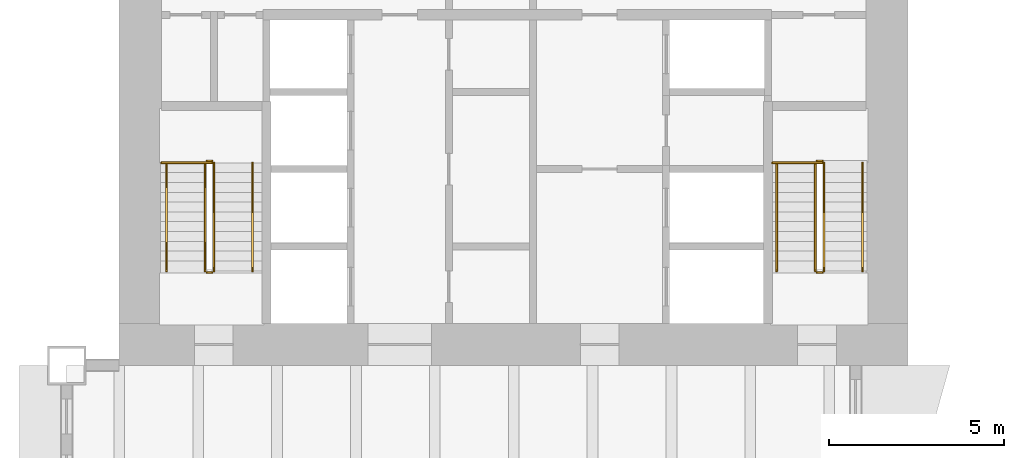
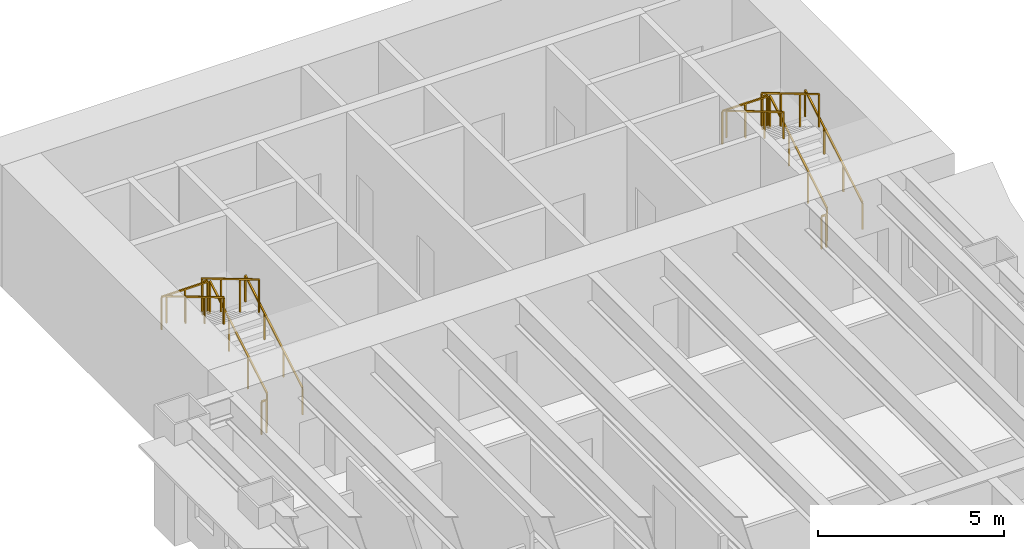
# One storey, part 16 of 16: 14 railings.
"""IFC4 building model written with IfcOpenShell, lengths in metres."""

from ifc_helpers import new_model, si_unit, direction, frame, origin, origin_2d, place, context, subcontext, project, spatial, rectangle, extrude, material, type_object, element, save


model = new_model("IFC4")

# Units and contexts
model_context = context("Model", 3, precision=1e-05, world=origin(), true_north=direction((0.0, 1.0)))
body_context = subcontext(model_context, "Body", "Model", "MODEL_VIEW")
ifc_project = project(units=[si_unit("LENGTHUNIT", "METRE"), si_unit("AREAUNIT", "SQUARE_METRE"), si_unit("VOLUMEUNIT", "CUBIC_METRE"), si_unit("PLANEANGLEUNIT", "RADIAN"), si_unit("MASSUNIT", "GRAM", prefix="KILO")], contexts=[model_context])

# Site, building, storey
site_placement = place(None, origin())
site = spatial("IfcSite", under=ifc_project, at=site_placement, CompositionType="ELEMENT")
building_placement = place(site_placement, origin())
building = spatial("IfcBuilding", under=site, at=building_placement, Name="Sennacour Bend Tower", CompositionType="ELEMENT")
storey_placement = place(building_placement, frame((0.0, 0.0, 45.0)))
storey = spatial("IfcBuildingStorey", under=building, at=storey_placement, Name="L09", CompositionType="ELEMENT", Elevation=45.0)

# Railings
ifc_material = material(Name="Stainless steel", Category="steel")
railing_type_1 = type_object("IfcRailingType", Name="RL-GUARD-1100", PredefinedType="GUARDRAIL", material=ifc_material)
railing_1_placement = place(storey_placement, frame((2.699951171875, 38.699951171875, 0.166748046875)))
element("IfcRailing", 1, at=railing_1_placement, inside=storey, type_object=railing_type_1, Name="L09 SB1 stair guard 1", PredefinedType="GUARDRAIL", context=body_context, shape_type="SweptSolid", body=[
    extrude(rectangle(XDim=0.048095703125, YDim=0.048095703125, at=origin_2d()), frame((0.0, 0.0, 1.076171875), z_axis=(0.0, 0.859308565015, 0.511457515432), x_axis=(-1.0, 0.0, 0.0)), (0.0, 0.0, 1.0), 3.58447265625),
    extrude(rectangle(XDim=0.0419921875, YDim=0.0419921875, at=origin_2d()), origin(), (0.0, 0.0, 1.0), 1.052001953125),
    extrude(rectangle(XDim=0.0419921875, YDim=0.0419921875, at=origin_2d()), frame((0.0, 1.026611328125, 0.611083984375)), (0.0, 0.0, 1.0), 1.052001953125),
    extrude(rectangle(XDim=0.0419921875, YDim=0.0419921875, at=origin_2d()), frame((0.0, 2.053466796875, 1.22216796875)), (0.0, 0.0, 1.0), 1.052001953125),
    extrude(rectangle(XDim=0.0419921875, YDim=0.0419921875, at=origin_2d()), frame((0.0, 3.080078125, 1.833251953125)), (0.0, 0.0, 1.0), 1.052001953125),
])
railing_2_placement = place(storey_placement, frame((2.64990234375, 41.830078125, 2.0)))
element("IfcRailing", 2, at=railing_2_placement, inside=storey, type_object=railing_type_1, Name="L09 SB1 stair guard 2", PredefinedType="GUARDRAIL", context=body_context, shape_type="SweptSolid", body=[
    extrude(rectangle(XDim=0.048095703125, YDim=0.048095703125, at=origin_2d()), frame((0.0, 0.0, 1.076171875), z_axis=(-1.0, 0.0, 0.0), x_axis=(0.0, -1.0, 0.0)), (0.0, 0.0, 1.0), 0.14990234375),
    extrude(rectangle(XDim=0.0419921875, YDim=0.0419921875, at=origin_2d()), origin(), (0.0, 0.0, 1.0), 1.052001953125),
    extrude(rectangle(XDim=0.0419921875, YDim=0.0419921875, at=origin_2d()), frame((-0.14990234375, 0.0, 0.0)), (0.0, 0.0, 1.0), 1.052001953125),
])
railing_3_placement = place(storey_placement, frame((2.449951171875, 41.780029296875, 2.166748046875)))
element("IfcRailing", 3, at=railing_3_placement, inside=storey, type_object=railing_type_1, Name="L09 SB1 stair guard 4", PredefinedType="GUARDRAIL", context=body_context, shape_type="SweptSolid", body=[
    extrude(rectangle(XDim=0.048095703125, YDim=0.048095703125, at=origin_2d()), frame((0.0, 0.0, 1.076171875), z_axis=(0.0, -0.859308565015, 0.511457515432), x_axis=(1.0, 0.0, 0.0)), (0.0, 0.0, 1.0), 3.58447265625),
    extrude(rectangle(XDim=0.0419921875, YDim=0.0419921875, at=origin_2d()), origin(), (0.0, 0.0, 1.0), 1.052001953125),
    extrude(rectangle(XDim=0.0419921875, YDim=0.0419921875, at=origin_2d()), frame((0.0, -1.026611328125, 0.611083984375)), (0.0, 0.0, 1.0), 1.052001953125),
    extrude(rectangle(XDim=0.0419921875, YDim=0.0419921875, at=origin_2d()), frame((0.0, -2.053466796875, 1.22216796875)), (0.0, 0.0, 1.0), 1.052001953125),
    extrude(rectangle(XDim=0.0419921875, YDim=0.0419921875, at=origin_2d()), frame((0.0, -3.080078125, 1.833251953125)), (0.0, 0.0, 1.0), 1.052001953125),
])
railing_4_placement = place(storey_placement, frame((2.64990234375, 38.64990234375, 0.0)))
element("IfcRailing", 4, at=railing_4_placement, inside=storey, type_object=railing_type_1, Name="L09 SB1 stair guard 5", PredefinedType="GUARDRAIL", context=body_context, shape_type="SweptSolid", body=[
    extrude(rectangle(XDim=0.048095703125, YDim=0.048095703125, at=origin_2d()), frame((0.0, 0.0, 1.076171875), z_axis=(-1.0, 0.0, 0.0), x_axis=(0.0, -1.0, 0.0)), (0.0, 0.0, 1.0), 0.14990234375),
    extrude(rectangle(XDim=0.0419921875, YDim=0.0419921875, at=origin_2d()), origin(), (0.0, 0.0, 1.0), 1.052001953125),
    extrude(rectangle(XDim=0.0419921875, YDim=0.0419921875, at=origin_2d()), frame((-0.14990234375, 0.0, 0.0)), (0.0, 0.0, 1.0), 1.052001953125),
])
railing_5_placement = place(storey_placement, frame((2.64990234375, 41.780029296875, 2.0)))
element("IfcRailing", 5, at=railing_5_placement, inside=storey, type_object=railing_type_1, Name="L09 SB1 landing edge guard 28", PredefinedType="GUARDRAIL", context=body_context, shape_type="SweptSolid", body=[
    extrude(rectangle(XDim=0.048095703125, YDim=0.048095703125, at=origin_2d()), frame((0.0, 0.0, 1.076171875), z_axis=(-1.0, 0.0, 0.0), x_axis=(0.0, -1.0, 0.0)), (0.0, 0.0, 1.0), 1.449951171875),
    extrude(rectangle(XDim=0.0419921875, YDim=0.0419921875, at=origin_2d()), origin(), (0.0, 0.0, 1.0), 1.052001953125),
    extrude(rectangle(XDim=0.0419921875, YDim=0.0419921875, at=origin_2d()), frame((-0.72509765625, 0.0, 0.0)), (0.0, 0.0, 1.0), 1.052001953125),
    extrude(rectangle(XDim=0.0419921875, YDim=0.0419921875, at=origin_2d()), frame((-1.449951171875, 0.0, 0.0)), (0.0, 0.0, 1.0), 1.052001953125),
])
railing_6_placement = place(storey_placement, frame((20.10009765625, 38.699951171875, 0.166748046875)))
element("IfcRailing", 6, at=railing_6_placement, inside=storey, type_object=railing_type_1, Name="L09 SB2 stair guard 1", PredefinedType="GUARDRAIL", context=body_context, shape_type="SweptSolid", body=[
    extrude(rectangle(XDim=0.048095703125, YDim=0.048095703125, at=origin_2d()), frame((0.0, 0.0, 1.076171875), z_axis=(0.0, 0.859308565015, 0.511457515432), x_axis=(-1.0, 0.0, 0.0)), (0.0, 0.0, 1.0), 3.58447265625),
    extrude(rectangle(XDim=0.0419921875, YDim=0.0419921875, at=origin_2d()), origin(), (0.0, 0.0, 1.0), 1.052001953125),
    extrude(rectangle(XDim=0.0419921875, YDim=0.0419921875, at=origin_2d()), frame((0.0, 1.026611328125, 0.611083984375)), (0.0, 0.0, 1.0), 1.052001953125),
    extrude(rectangle(XDim=0.0419921875, YDim=0.0419921875, at=origin_2d()), frame((0.0, 2.053466796875, 1.22216796875)), (0.0, 0.0, 1.0), 1.052001953125),
    extrude(rectangle(XDim=0.0419921875, YDim=0.0419921875, at=origin_2d()), frame((0.0, 3.080078125, 1.833251953125)), (0.0, 0.0, 1.0), 1.052001953125),
])
railing_7_placement = place(storey_placement, frame((20.050048828125, 41.830078125, 2.0)))
element("IfcRailing", 7, at=railing_7_placement, inside=storey, type_object=railing_type_1, Name="L09 SB2 stair guard 2", PredefinedType="GUARDRAIL", context=body_context, shape_type="SweptSolid", body=[
    extrude(rectangle(XDim=0.048095703125, YDim=0.048095703125, at=origin_2d()), frame((0.0, 0.0, 1.076171875), z_axis=(-1.0, 0.0, 0.0), x_axis=(0.0, -1.0, 0.0)), (0.0, 0.0, 1.0), 0.150146484375),
    extrude(rectangle(XDim=0.0419921875, YDim=0.0419921875, at=origin_2d()), origin(), (0.0, 0.0, 1.0), 1.052001953125),
    extrude(rectangle(XDim=0.0419921875, YDim=0.0419921875, at=origin_2d()), frame((-0.150146484375, 0.0, 0.0)), (0.0, 0.0, 1.0), 1.052001953125),
])
railing_8_placement = place(storey_placement, frame((19.85009765625, 41.780029296875, 2.166748046875)))
element("IfcRailing", 8, at=railing_8_placement, inside=storey, type_object=railing_type_1, Name="L09 SB2 stair guard 4", PredefinedType="GUARDRAIL", context=body_context, shape_type="SweptSolid", body=[
    extrude(rectangle(XDim=0.048095703125, YDim=0.048095703125, at=origin_2d()), frame((0.0, 0.0, 1.076171875), z_axis=(0.0, -0.859308565015, 0.511457515432), x_axis=(1.0, 0.0, 0.0)), (0.0, 0.0, 1.0), 3.58447265625),
    extrude(rectangle(XDim=0.0419921875, YDim=0.0419921875, at=origin_2d()), origin(), (0.0, 0.0, 1.0), 1.052001953125),
    extrude(rectangle(XDim=0.0419921875, YDim=0.0419921875, at=origin_2d()), frame((0.0, -1.026611328125, 0.611083984375)), (0.0, 0.0, 1.0), 1.052001953125),
    extrude(rectangle(XDim=0.0419921875, YDim=0.0419921875, at=origin_2d()), frame((0.0, -2.053466796875, 1.22216796875)), (0.0, 0.0, 1.0), 1.052001953125),
    extrude(rectangle(XDim=0.0419921875, YDim=0.0419921875, at=origin_2d()), frame((0.0, -3.080078125, 1.833251953125)), (0.0, 0.0, 1.0), 1.052001953125),
])
railing_9_placement = place(storey_placement, frame((20.050048828125, 38.64990234375, 0.0)))
element("IfcRailing", 9, at=railing_9_placement, inside=storey, type_object=railing_type_1, Name="L09 SB2 stair guard 5", PredefinedType="GUARDRAIL", context=body_context, shape_type="SweptSolid", body=[
    extrude(rectangle(XDim=0.048095703125, YDim=0.048095703125, at=origin_2d()), frame((0.0, 0.0, 1.076171875), z_axis=(-1.0, 0.0, 0.0), x_axis=(0.0, -1.0, 0.0)), (0.0, 0.0, 1.0), 0.150146484375),
    extrude(rectangle(XDim=0.0419921875, YDim=0.0419921875, at=origin_2d()), origin(), (0.0, 0.0, 1.0), 1.052001953125),
    extrude(rectangle(XDim=0.0419921875, YDim=0.0419921875, at=origin_2d()), frame((-0.150146484375, 0.0, 0.0)), (0.0, 0.0, 1.0), 1.052001953125),
])
railing_10_placement = place(storey_placement, frame((20.050048828125, 41.780029296875, 2.0)))
element("IfcRailing", 10, at=railing_10_placement, inside=storey, type_object=railing_type_1, Name="L09 SB2 landing edge guard 20", PredefinedType="GUARDRAIL", context=body_context, shape_type="SweptSolid", body=[
    extrude(rectangle(XDim=0.048095703125, YDim=0.048095703125, at=origin_2d()), frame((0.0, 0.0, 1.076171875), z_axis=(-1.0, 0.0, 0.0), x_axis=(0.0, -1.0, 0.0)), (0.0, 0.0, 1.0), 1.425048828125),
    extrude(rectangle(XDim=0.0419921875, YDim=0.0419921875, at=origin_2d()), origin(), (0.0, 0.0, 1.0), 1.052001953125),
    extrude(rectangle(XDim=0.0419921875, YDim=0.0419921875, at=origin_2d()), frame((-0.71240234375, 0.0, 0.0)), (0.0, 0.0, 1.0), 1.052001953125),
    extrude(rectangle(XDim=0.0419921875, YDim=0.0419921875, at=origin_2d()), frame((-1.425048828125, 0.0, 0.0)), (0.0, 0.0, 1.0), 1.052001953125),
])
railing_type_2 = type_object("IfcRailingType", Name="RL-HANDRAIL-900", PredefinedType="HANDRAIL", material=ifc_material)
railing_11_placement = place(storey_placement, frame((3.800048828125, 38.699951171875, 0.166748046875)))
element("IfcRailing", 11, at=railing_11_placement, inside=storey, type_object=railing_type_2, Name="L09 SB1 stair handrail 1", PredefinedType="HANDRAIL", context=body_context, shape_type="SweptSolid", body=[
    extrude(rectangle(XDim=0.048095703125, YDim=0.048095703125, at=origin_2d()), frame((0.0, 0.0, 0.8759765625), z_axis=(0.0, 0.859308565015, 0.511457515432), x_axis=(-1.0, 0.0, 0.0)), (0.0, 0.0, 1.0), 3.58447265625),
    extrude(rectangle(XDim=0.0419921875, YDim=0.0419921875, at=origin_2d()), origin(), (0.0, 0.0, 1.0), 0.851806640625),
    extrude(rectangle(XDim=0.0419921875, YDim=0.0419921875, at=origin_2d()), frame((0.0, 1.026611328125, 0.611083984375)), (0.0, 0.0, 1.0), 0.851806640625),
    extrude(rectangle(XDim=0.0419921875, YDim=0.0419921875, at=origin_2d()), frame((0.0, 2.053466796875, 1.22216796875)), (0.0, 0.0, 1.0), 0.851806640625),
    extrude(rectangle(XDim=0.0419921875, YDim=0.0419921875, at=origin_2d()), frame((0.0, 3.080078125, 1.833251953125)), (0.0, 0.0, 1.0), 0.851806640625),
])
railing_12_placement = place(storey_placement, frame((1.35009765625, 41.780029296875, 2.166748046875)))
element("IfcRailing", 12, at=railing_12_placement, inside=storey, type_object=railing_type_2, Name="L09 SB1 stair handrail 2", PredefinedType="HANDRAIL", context=body_context, shape_type="SweptSolid", body=[
    extrude(rectangle(XDim=0.048095703125, YDim=0.048095703125, at=origin_2d()), frame((0.0, 0.0, 0.8759765625), z_axis=(0.0, -0.859308565015, 0.511457515432), x_axis=(1.0, 0.0, 0.0)), (0.0, 0.0, 1.0), 3.58447265625),
    extrude(rectangle(XDim=0.0419921875, YDim=0.0419921875, at=origin_2d()), origin(), (0.0, 0.0, 1.0), 0.851806640625),
    extrude(rectangle(XDim=0.0419921875, YDim=0.0419921875, at=origin_2d()), frame((0.0, -1.026611328125, 0.611083984375)), (0.0, 0.0, 1.0), 0.851806640625),
    extrude(rectangle(XDim=0.0419921875, YDim=0.0419921875, at=origin_2d()), frame((0.0, -2.053466796875, 1.22216796875)), (0.0, 0.0, 1.0), 0.851806640625),
    extrude(rectangle(XDim=0.0419921875, YDim=0.0419921875, at=origin_2d()), frame((0.0, -3.080078125, 1.833251953125)), (0.0, 0.0, 1.0), 0.851806640625),
])
railing_13_placement = place(storey_placement, frame((21.199951171875, 38.699951171875, 0.166748046875)))
element("IfcRailing", 13, at=railing_13_placement, inside=storey, type_object=railing_type_2, Name="L09 SB2 stair handrail 1", PredefinedType="HANDRAIL", context=body_context, shape_type="SweptSolid", body=[
    extrude(rectangle(XDim=0.048095703125, YDim=0.048095703125, at=origin_2d()), frame((0.0, 0.0, 0.8759765625), z_axis=(0.0, 0.859308565015, 0.511457515432), x_axis=(-1.0, 0.0, 0.0)), (0.0, 0.0, 1.0), 3.58447265625),
    extrude(rectangle(XDim=0.0419921875, YDim=0.0419921875, at=origin_2d()), origin(), (0.0, 0.0, 1.0), 0.851806640625),
    extrude(rectangle(XDim=0.0419921875, YDim=0.0419921875, at=origin_2d()), frame((0.0, 1.026611328125, 0.611083984375)), (0.0, 0.0, 1.0), 0.851806640625),
    extrude(rectangle(XDim=0.0419921875, YDim=0.0419921875, at=origin_2d()), frame((0.0, 2.053466796875, 1.22216796875)), (0.0, 0.0, 1.0), 0.851806640625),
    extrude(rectangle(XDim=0.0419921875, YDim=0.0419921875, at=origin_2d()), frame((0.0, 3.080078125, 1.833251953125)), (0.0, 0.0, 1.0), 0.851806640625),
])
railing_14_placement = place(storey_placement, frame((18.75, 41.780029296875, 2.166748046875)))
element("IfcRailing", 14, at=railing_14_placement, inside=storey, type_object=railing_type_2, Name="L09 SB2 stair handrail 2", PredefinedType="HANDRAIL", context=body_context, shape_type="SweptSolid", body=[
    extrude(rectangle(XDim=0.048095703125, YDim=0.048095703125, at=origin_2d()), frame((0.0, 0.0, 0.8759765625), z_axis=(0.0, -0.859308565015, 0.511457515432), x_axis=(1.0, 0.0, 0.0)), (0.0, 0.0, 1.0), 3.58447265625),
    extrude(rectangle(XDim=0.0419921875, YDim=0.0419921875, at=origin_2d()), origin(), (0.0, 0.0, 1.0), 0.851806640625),
    extrude(rectangle(XDim=0.0419921875, YDim=0.0419921875, at=origin_2d()), frame((0.0, -1.026611328125, 0.611083984375)), (0.0, 0.0, 1.0), 0.851806640625),
    extrude(rectangle(XDim=0.0419921875, YDim=0.0419921875, at=origin_2d()), frame((0.0, -2.053466796875, 1.22216796875)), (0.0, 0.0, 1.0), 0.851806640625),
    extrude(rectangle(XDim=0.0419921875, YDim=0.0419921875, at=origin_2d()), frame((0.0, -3.080078125, 1.833251953125)), (0.0, 0.0, 1.0), 0.851806640625),
])

save(model, "model.ifc")
